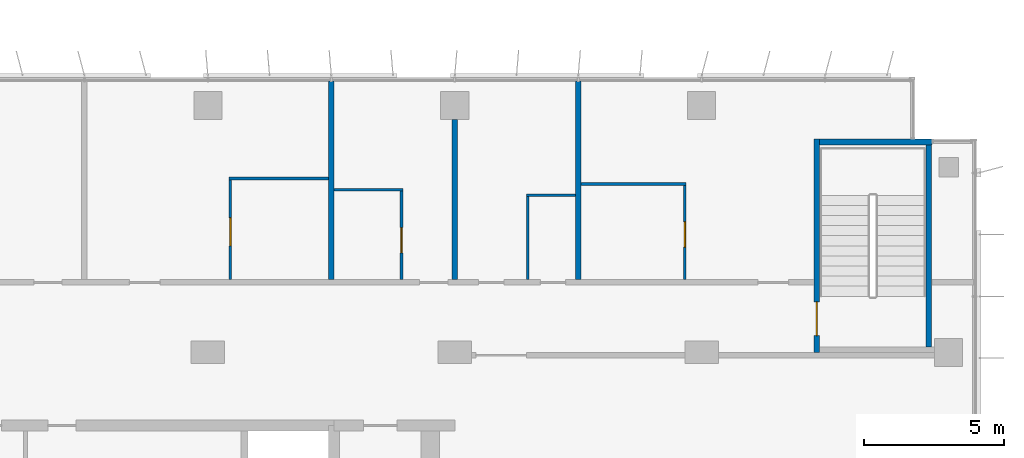
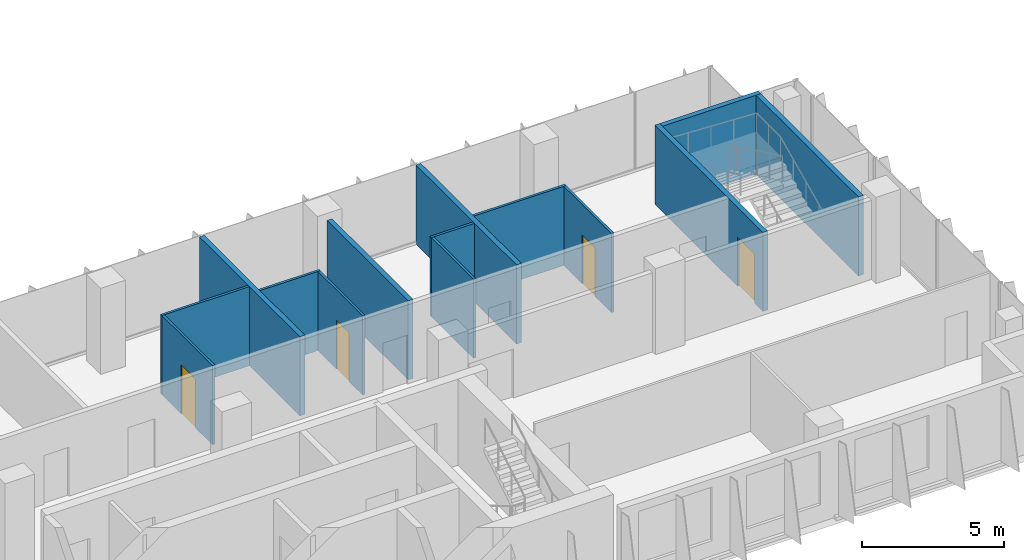
# One storey, part 15 of 21: 14 walls, 4 doors, 4 openings.
"""IFC4 building model written with IfcOpenShell, lengths in metres."""

from ifc_helpers import new_model, si_unit, direction, frame, frame_2d, origin, place, context, subcontext, project, spatial, rectangle, extrude, material, layer, layer_set, type_object, element, fill, save


model = new_model("IFC4")

# Units and contexts
model_context = context("Model", 3, precision=1e-05, world=origin(), true_north=direction((0.0, 1.0)))
body_context = subcontext(model_context, "Body", "Model", "MODEL_VIEW")
ifc_project = project(units=[si_unit("LENGTHUNIT", "METRE"), si_unit("AREAUNIT", "SQUARE_METRE"), si_unit("VOLUMEUNIT", "CUBIC_METRE"), si_unit("PLANEANGLEUNIT", "RADIAN"), si_unit("MASSUNIT", "GRAM", prefix="KILO")], contexts=[model_context])

# Site, building, storey
site_placement = place(None, origin())
site = spatial("IfcSite", under=ifc_project, at=site_placement, CompositionType="ELEMENT")
building_placement = place(site_placement, origin())
building = spatial("IfcBuilding", under=site, at=building_placement, Name="Kemantara Hotel Tower", CompositionType="ELEMENT")
storey_placement = place(building_placement, frame((0.0, 0.0, 175.300048828125)))
storey = spatial("IfcBuildingStorey", under=building, at=storey_placement, Name="L43", CompositionType="ELEMENT", Elevation=175.300048828125)

# Wall, opening, door
ifc_material_1 = material(Name="Concrete fc 40 MPa", Category="concrete")
ifc_layer_1 = layer(ifc_material_1, 0.199951171875)
ifc_layer_set_1 = layer_set([ifc_layer_1], Name="Concrete fc 40 MPa")
wall_type_1 = type_object("IfcWallType", Name="Concrete stair wall 200 mm", PredefinedType="SHEAR", material=ifc_layer_set_1)
wall_1_placement = place(storey_placement, frame((57.89990234375, 12.199951171875, 0.0), z_axis=(0.0, 0.0, 1.0), x_axis=(0.0, 1.0, 0.0)))
wall_1 = element("IfcWall", 1, at=wall_1_placement, inside=storey, type_object=wall_type_1, Name="Stair ST3 enclosure wall with door", PredefinedType="SHEAR", context=body_context, shape_type="SweptSolid", body=[
    extrude(rectangle(XDim=7.60009765625, YDim=0.199951171875, at=frame_2d((3.800048828125, 0.0))), origin(), (0.0, 0.0, 1.0), 3.39990234375),
])
opening_1_placement = place(wall_1_placement, frame((0.60009765625, 0.0, 0.0)))
opening_1 = element("IfcOpeningElement", 2, at=opening_1_placement, cuts=wall_1, Name="Opening ST3-C", PredefinedType="OPENING", context=body_context, shape_type="SweptSolid", body=[
    extrude(rectangle(XDim=1.199951171875, YDim=2.10009765625, at=frame_2d((0.60009765625, 1.050048828125))), frame((0.0, 0.10986328125, 0.0), z_axis=(0.0, -1.0, 0.0), x_axis=(1.0, 0.0, 0.0)), (0.0, 0.0, 1.0), 0.219970703125),
])
ifc_material_2 = material(Name="Steel fire door", Category="steel")
door_type_1 = type_object("IfcDoorType", Name="Fire door FD90 1200 x 2100", OperationType="NOTDEFINED", PredefinedType="DOOR", material=ifc_material_2)
door_1_placement = place(opening_1_placement, frame((1.199951171875, 0.0, 0.0), z_axis=(0.0, 0.0, 1.0), x_axis=(-1.0, 0.0, 0.0)))
door_1 = element("IfcDoor", 3, at=door_1_placement, inside=storey, type_object=door_type_1, Name="Stair ST3 door", OperationType="SINGLE_SWING_RIGHT", OverallHeight=2.10009765625, OverallWidth=1.199951171875, PredefinedType="DOOR", context=body_context, shape_type="SweptSolid", body=[
    extrude(rectangle(XDim=1.199951171875, YDim=2.10009765625, at=frame_2d((0.60009765625, 1.050048828125))), frame((0.0, 0.02490234375, 0.0), z_axis=(0.0, -1.0, 0.0), x_axis=(1.0, 0.0, 0.0)), (0.0, 0.0, 1.0), 0.050048828125),
])
fill(opening_1, door_1)

# Walls
wall_2_placement = place(storey_placement, frame((58.0, 19.699951171875, 0.0), z_axis=(0.0, 0.0, 1.0), x_axis=(1.0, 0.0, 0.0)))
element("IfcWall", 4, at=wall_2_placement, inside=storey, type_object=wall_type_1, Name="Stair ST3 enclosure wall N", PredefinedType="SHEAR", context=body_context, shape_type="SweptSolid", body=[
    extrude(rectangle(XDim=4.0, YDim=0.199951171875, at=frame_2d((2.0, 0.0))), origin(), (0.0, 0.0, 1.0), 3.39990234375),
])
wall_3_placement = place(storey_placement, frame((61.89990234375, 12.39990234375, 0.0), z_axis=(0.0, 0.0, 1.0), x_axis=(0.0, 1.0, 0.0)))
element("IfcWall", 5, at=wall_3_placement, inside=storey, type_object=wall_type_1, Name="Stair ST3 enclosure wall E", PredefinedType="SHEAR", context=body_context, shape_type="SweptSolid", body=[
    extrude(rectangle(XDim=7.2001953125, YDim=0.199951171875, at=frame_2d((3.60009765625, 0.0))), origin(), (0.0, 0.0, 1.0), 3.39990234375),
])
ifc_material_3 = material(Name="Gypsum board partition, steel studs and mineral wool, 200 mm", Category="steel")
ifc_layer_2 = layer(ifc_material_3, 0.199951171875)
ifc_layer_set_2 = layer_set([ifc_layer_2], Name="Gypsum board partition, steel studs and mineral wool, 200 mm")
wall_type_2 = type_object("IfcWallType", Name="GUEST ROOM PARTY WALL 200", PredefinedType="PARTITIONING", material=ifc_layer_set_2)
wall_4_placement = place(storey_placement, frame((40.60009765625, 14.800048828125, 0.0), z_axis=(0.0, 0.0, 1.0), x_axis=(0.0, 1.0, 0.0)))
element("IfcWall", 6, at=wall_4_placement, inside=storey, type_object=wall_type_2, Name="GUEST ROOM PARTY WALL 200 008", PredefinedType="PARTITIONING", context=body_context, shape_type="SweptSolid", body=[
    extrude(rectangle(XDim=7.070068359375, YDim=0.199951171875, at=frame_2d((3.53515625, 0.0))), origin(), (0.0, 0.0, 1.0), 3.39990234375),
])
wall_5_placement = place(storey_placement, frame((45.0, 14.800048828125, 0.0), z_axis=(0.0, 0.0, 1.0), x_axis=(0.0, 1.0, 0.0)))
element("IfcWall", 7, at=wall_5_placement, inside=storey, type_object=wall_type_2, Name="GUEST ROOM PARTY WALL 200 009", PredefinedType="PARTITIONING", context=body_context, shape_type="SweptSolid", body=[
    extrude(rectangle(XDim=5.699951171875, YDim=0.199951171875, at=frame_2d((2.85009765625, 0.0))), origin(), (0.0, 0.0, 1.0), 3.39990234375),
])
wall_6_placement = place(storey_placement, frame((49.39990234375, 14.800048828125, 0.0), z_axis=(0.0, 0.0, 1.0), x_axis=(0.0, 1.0, 0.0)))
element("IfcWall", 8, at=wall_6_placement, inside=storey, type_object=wall_type_2, Name="GUEST ROOM PARTY WALL 200 010", PredefinedType="PARTITIONING", context=body_context, shape_type="SweptSolid", body=[
    extrude(rectangle(XDim=7.070068359375, YDim=0.199951171875, at=frame_2d((3.53515625, 0.0))), origin(), (0.0, 0.0, 1.0), 3.39990234375),
])
ifc_material_4 = material(Name="Gypsum board partition on steel studs, 100 mm", Category="steel")
ifc_layer_3 = layer(ifc_material_4, 0.10009765625)
ifc_layer_set_3 = layer_set([ifc_layer_3], Name="Gypsum board partition on steel studs, 100 mm")
wall_type_3 = type_object("IfcWallType", Name="ROOM PARTITION 100", PredefinedType="PARTITIONING", material=ifc_layer_set_3)
wall_7_placement = place(storey_placement, frame((49.5, 18.199951171875, 0.0), z_axis=(0.0, 0.0, 1.0), x_axis=(1.0, 0.0, 0.0)))
element("IfcWall", 9, at=wall_7_placement, inside=storey, type_object=wall_type_3, Name="ROOM PARTITION 100 033", PredefinedType="PARTITIONING", context=body_context, shape_type="SweptSolid", body=[
    extrude(rectangle(XDim=3.75, YDim=0.10009765625, at=frame_2d((1.875, 0.0))), origin(), (0.0, 0.0, 1.0), 3.39990234375),
])
wall_8_placement = place(storey_placement, frame((36.949951171875, 18.39990234375, 0.0), z_axis=(0.0, 0.0, 1.0), x_axis=(1.0, 0.0, 0.0)))
element("IfcWall", 10, at=wall_8_placement, inside=storey, type_object=wall_type_3, Name="ROOM PARTITION 100 035", PredefinedType="PARTITIONING", context=body_context, shape_type="SweptSolid", body=[
    extrude(rectangle(XDim=3.550048828125, YDim=0.10009765625, at=frame_2d((1.77490234375, 0.0))), origin(), (0.0, 0.0, 1.0), 3.39990234375),
])

# Wall, opening, door
wall_9_placement = place(storey_placement, frame((37.0, 18.35009765625, 0.0), z_axis=(0.0, 0.0, 1.0), x_axis=(0.0, -1.0, 0.0)))
wall_9 = element("IfcWall", 11, at=wall_9_placement, inside=storey, type_object=wall_type_3, Name="ROOM PARTITION 100 036", PredefinedType="PARTITIONING", context=body_context, shape_type="SweptSolid", body=[
    extrude(rectangle(XDim=3.550048828125, YDim=0.10009765625, at=frame_2d((1.77490234375, 0.0))), origin(), (0.0, 0.0, 1.0), 3.39990234375),
])
opening_2_placement = place(wall_9_placement, frame((1.35009765625, 0.0, 0.0)))
opening_2 = element("IfcOpeningElement", 12, at=opening_2_placement, cuts=wall_9, Name="Opening F20-007", PredefinedType="OPENING", context=body_context, shape_type="SweptSolid", body=[
    extrude(rectangle(XDim=1.0, YDim=2.10009765625, at=frame_2d((0.5, 1.050048828125))), frame((0.0, 0.06005859375, 0.0), z_axis=(0.0, -1.0, 0.0), x_axis=(1.0, 0.0, 0.0)), (0.0, 0.0, 1.0), 0.1201171875),
])
ifc_material_5 = material(Name="Hardwood veneer door leaf with steel frame", Category="steel")
door_type_2 = type_object("IfcDoorType", Name="BATHROOM DOOR 1000 X 2100", OperationType="NOTDEFINED", PredefinedType="DOOR", material=ifc_material_5)
door_2_placement = place(opening_2_placement, origin())
door_2 = element("IfcDoor", 13, at=door_2_placement, inside=storey, type_object=door_type_2, Name="BATHROOM DOOR F20-007", OperationType="SINGLE_SWING_RIGHT", OverallHeight=2.10009765625, OverallWidth=1.0, PredefinedType="DOOR", context=body_context, shape_type="SweptSolid", body=[
    extrude(rectangle(XDim=1.0, YDim=2.10009765625, at=frame_2d((0.5, 1.050048828125))), frame((0.0, 0.02490234375, 0.0), z_axis=(0.0, -1.0, 0.0), x_axis=(1.0, 0.0, 0.0)), (0.0, 0.0, 1.0), 0.050048828125),
])
fill(opening_2, door_2)

# Wall
wall_10_placement = place(storey_placement, frame((40.699951171875, 18.0, 0.0), z_axis=(0.0, 0.0, 1.0), x_axis=(1.0, 0.0, 0.0)))
element("IfcWall", 14, at=wall_10_placement, inside=storey, type_object=wall_type_3, Name="ROOM PARTITION 100 038", PredefinedType="PARTITIONING", context=body_context, shape_type="SweptSolid", body=[
    extrude(rectangle(XDim=2.449951171875, YDim=0.10009765625, at=frame_2d((1.22509765625, 0.0))), origin(), (0.0, 0.0, 1.0), 3.39990234375),
])

# Wall, opening, door
wall_11_placement = place(storey_placement, frame((43.10009765625, 14.800048828125, 0.0), z_axis=(0.0, 0.0, 1.0), x_axis=(0.0, 1.0, 0.0)))
wall_11 = element("IfcWall", 15, at=wall_11_placement, inside=storey, type_object=wall_type_3, Name="ROOM PARTITION 100 039", PredefinedType="PARTITIONING", context=body_context, shape_type="SweptSolid", body=[
    extrude(rectangle(XDim=3.14990234375, YDim=0.10009765625, at=frame_2d((1.574951171875, 0.0))), origin(), (0.0, 0.0, 1.0), 3.39990234375),
])
opening_3_placement = place(wall_11_placement, frame((0.949951171875, 0.0, 0.0)))
opening_3 = element("IfcOpeningElement", 16, at=opening_3_placement, cuts=wall_11, Name="Opening F20-009", PredefinedType="OPENING", context=body_context, shape_type="SweptSolid", body=[
    extrude(rectangle(XDim=0.89990234375, YDim=2.10009765625, at=frame_2d((0.449951171875, 1.050048828125))), frame((0.0, 0.06005859375, 0.0), z_axis=(0.0, -1.0, 0.0), x_axis=(1.0, 0.0, 0.0)), (0.0, 0.0, 1.0), 0.1201171875),
])
door_type_3 = type_object("IfcDoorType", Name="BATHROOM DOOR 900 X 2100", OperationType="NOTDEFINED", PredefinedType="DOOR", material=ifc_material_5)
door_3_placement = place(opening_3_placement, origin())
door_3 = element("IfcDoor", 17, at=door_3_placement, inside=storey, type_object=door_type_3, Name="BATHROOM DOOR F20-009", OperationType="SINGLE_SWING_LEFT", OverallHeight=2.10009765625, OverallWidth=0.89990234375, PredefinedType="DOOR", context=body_context, shape_type="SweptSolid", body=[
    extrude(rectangle(XDim=0.89990234375, YDim=2.10009765625, at=frame_2d((0.449951171875, 1.050048828125))), frame((0.0, 0.02490234375, 0.0), z_axis=(0.0, -1.0, 0.0), x_axis=(1.0, 0.0, 0.0)), (0.0, 0.0, 1.0), 0.050048828125),
])
fill(opening_3, door_3)

# Walls
wall_12_placement = place(storey_placement, frame((47.550048828125, 17.800048828125, 0.0), z_axis=(0.0, 0.0, 1.0), x_axis=(1.0, 0.0, 0.0)))
element("IfcWall", 18, at=wall_12_placement, inside=storey, type_object=wall_type_3, Name="ROOM PARTITION 100 040", PredefinedType="PARTITIONING", context=body_context, shape_type="SweptSolid", body=[
    extrude(rectangle(XDim=1.75, YDim=0.10009765625, at=frame_2d((0.875, 0.0))), origin(), (0.0, 0.0, 1.0), 3.39990234375),
])
wall_13_placement = place(storey_placement, frame((47.60009765625, 14.800048828125, 0.0), z_axis=(0.0, 0.0, 1.0), x_axis=(0.0, 1.0, 0.0)))
element("IfcWall", 19, at=wall_13_placement, inside=storey, type_object=wall_type_3, Name="ROOM PARTITION 100 041", PredefinedType="PARTITIONING", context=body_context, shape_type="SweptSolid", body=[
    extrude(rectangle(XDim=2.949951171875, YDim=0.10009765625, at=frame_2d((1.47509765625, 0.0))), origin(), (0.0, 0.0, 1.0), 3.39990234375),
])

# Wall, opening, door
wall_14_placement = place(storey_placement, frame((53.199951171875, 14.800048828125, 0.0), z_axis=(0.0, 0.0, 1.0), x_axis=(0.0, 1.0, 0.0)))
wall_14 = element("IfcWall", 20, at=wall_14_placement, inside=storey, type_object=wall_type_3, Name="ROOM PARTITION 100 042", PredefinedType="PARTITIONING", context=body_context, shape_type="SweptSolid", body=[
    extrude(rectangle(XDim=3.349853515625, YDim=0.10009765625, at=frame_2d((1.6748046875, 0.0))), origin(), (0.0, 0.0, 1.0), 3.39990234375),
])
opening_4_placement = place(wall_14_placement, frame((1.14990234375, 0.0, 0.0)))
opening_4 = element("IfcOpeningElement", 21, at=opening_4_placement, cuts=wall_14, Name="Opening F20-013", PredefinedType="OPENING", context=body_context, shape_type="SweptSolid", body=[
    extrude(rectangle(XDim=0.89990234375, YDim=2.10009765625, at=frame_2d((0.449951171875, 1.050048828125))), frame((0.0, 0.06005859375, 0.0), z_axis=(0.0, -1.0, 0.0), x_axis=(1.0, 0.0, 0.0)), (0.0, 0.0, 1.0), 0.1201171875),
])
door_4_placement = place(opening_4_placement, origin())
door_4 = element("IfcDoor", 22, at=door_4_placement, inside=storey, type_object=door_type_3, Name="BATHROOM DOOR F20-013", OperationType="SINGLE_SWING_LEFT", OverallHeight=2.10009765625, OverallWidth=0.89990234375, PredefinedType="DOOR", context=body_context, shape_type="SweptSolid", body=[
    extrude(rectangle(XDim=0.89990234375, YDim=2.10009765625, at=frame_2d((0.449951171875, 1.050048828125))), frame((0.0, 0.02490234375, 0.0), z_axis=(0.0, -1.0, 0.0), x_axis=(1.0, 0.0, 0.0)), (0.0, 0.0, 1.0), 0.050048828125),
])
fill(opening_4, door_4)

save(model, "model.ifc")
